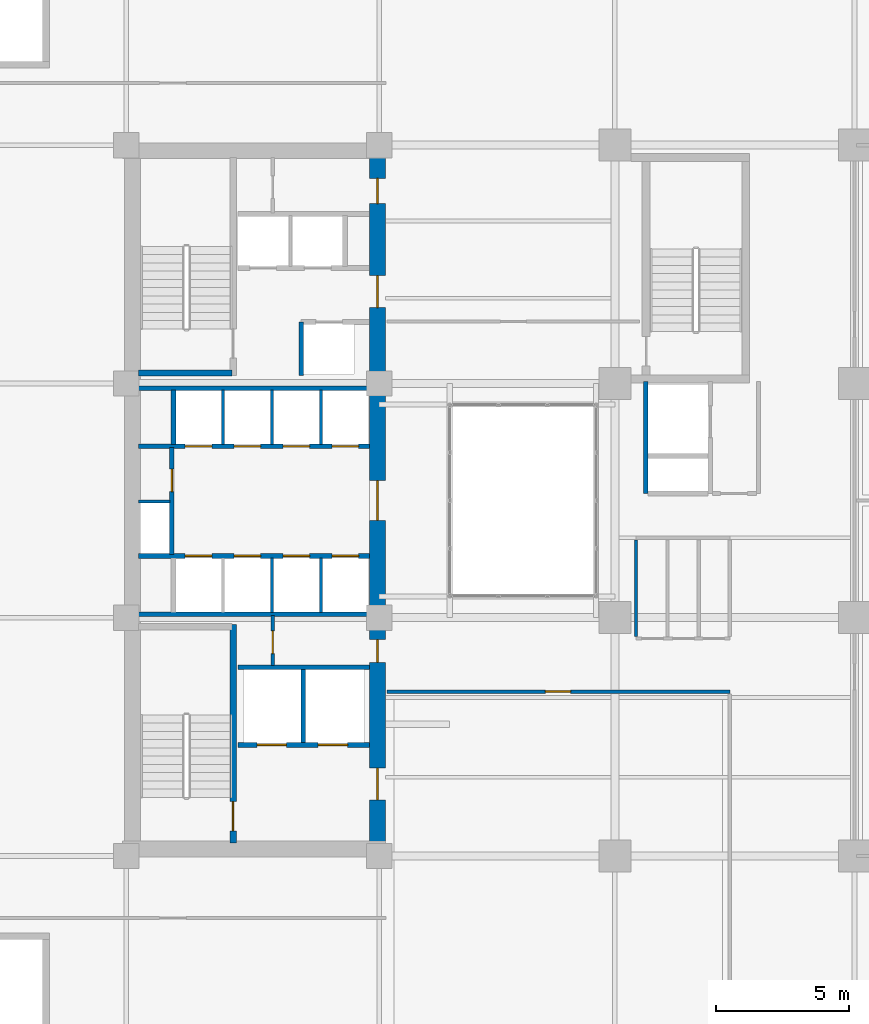
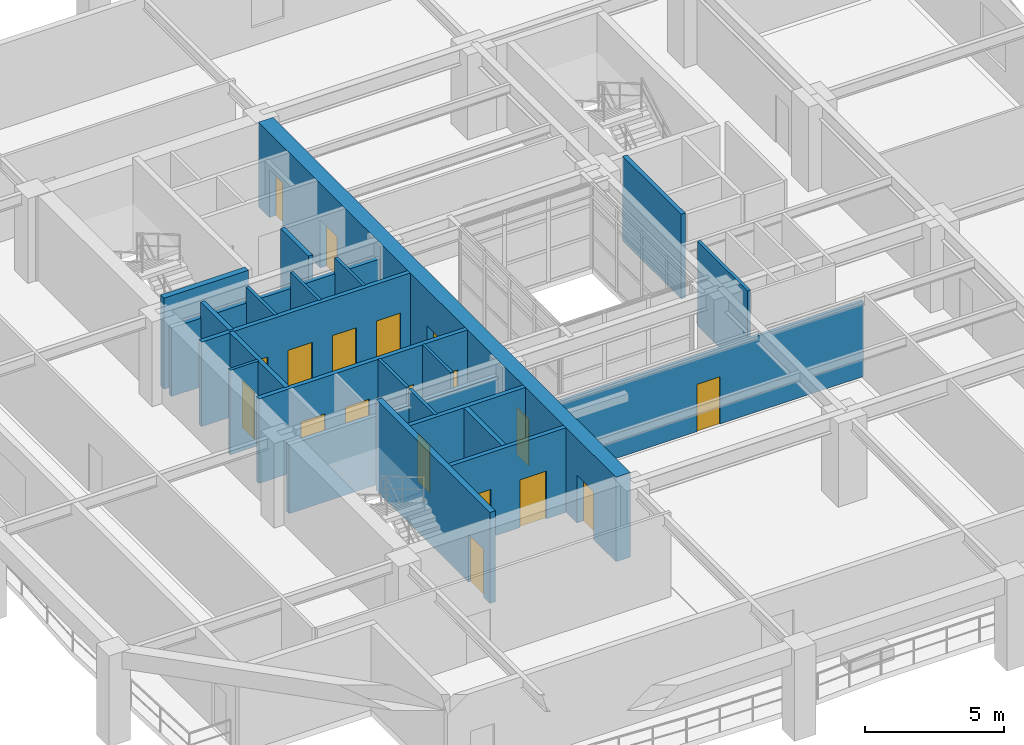
# One storey, part 7 of 17: 23 walls, 19 doors, 19 openings.
"""IFC4 building model written with IfcOpenShell, lengths in metres."""

from ifc_helpers import new_model, si_unit, direction, frame, frame_2d, origin, place, context, subcontext, project, spatial, rectangle, extrude, material, layer, layer_set, type_object, element, fill, save


model = new_model("IFC4")

# Units and contexts
model_context = context("Model", 3, precision=1e-05, world=origin(), true_north=direction((0.0, 1.0)))
body_context = subcontext(model_context, "Body", "Model", "MODEL_VIEW")
ifc_project = project(units=[si_unit("LENGTHUNIT", "METRE"), si_unit("AREAUNIT", "SQUARE_METRE"), si_unit("VOLUMEUNIT", "CUBIC_METRE"), si_unit("PLANEANGLEUNIT", "RADIAN"), si_unit("MASSUNIT", "GRAM", prefix="KILO")], contexts=[model_context])

# Site, building, storey
site_placement = place(None, origin())
site = spatial("IfcSite", under=ifc_project, at=site_placement, CompositionType="ELEMENT")
building_placement = place(site_placement, origin())
building = spatial("IfcBuilding", under=site, at=building_placement, Name="Kundavana Baori Tower", CompositionType="ELEMENT")
storey_placement = place(building_placement, frame((0.0, 0.0, 26.0)))
storey = spatial("IfcBuildingStorey", under=building, at=storey_placement, Name="L05", CompositionType="ELEMENT", Elevation=26.0)

# Wall, opening, door
ifc_material_1 = material(Name="Concrete C50/60", Category="concrete")
ifc_layer_1 = layer(ifc_material_1, 0.39990234375, Name="WL-CORE-400")
ifc_layer_set_1 = layer_set([ifc_layer_1], Name="Concrete C50/60")
wall_type_1 = type_object("IfcWallType", Name="WL-CORE-400", PredefinedType="SHEAR", material=ifc_layer_set_1)
wall_1_placement = place(storey_placement, frame((19.4599609375, 15.739990234375, 0.0), z_axis=(0.0, 0.0, 1.0), x_axis=(0.0, 1.0, 0.0)))
wall_1 = element("IfcWall", 1, at=wall_1_placement, inside=storey, type_object=wall_type_1, Name="WL-L05-ST1-E", PredefinedType="SHEAR", context=body_context, shape_type="SweptSolid", body=[
    extrude(rectangle(XDim=8.199951171875, YDim=0.239990234375, at=frame_2d((4.10009765625, 0.0))), origin(), (0.0, 0.0, 1.0), 4.0),
])
opening_1_placement = place(wall_1_placement, frame((0.449951171875, 0.0, 0.0)))
opening_1 = element("IfcOpeningElement", 2, at=opening_1_placement, cuts=wall_1, Name="Opening FD-110", PredefinedType="OPENING", context=body_context, shape_type="SweptSolid", body=[
    extrude(rectangle(XDim=1.10009765625, YDim=2.10009765625, at=frame_2d((0.550048828125, 1.050048828125))), frame((0.0, 0.1298828125, 0.0), z_axis=(0.0, -1.0, 0.0), x_axis=(1.0, 0.0, 0.0)), (0.0, 0.0, 1.0), 0.260009765625),
])
ifc_material_2 = material(Name="Galvanised Steel Fire-Rated Door Leaf", Category="steel")
door_type_1 = type_object("IfcDoorType", Name="DR-FD120-1100", OperationType="NOTDEFINED", PredefinedType="DOOR", material=ifc_material_2)
door_1_placement = place(opening_1_placement, origin())
door_1 = element("IfcDoor", 3, at=door_1_placement, inside=storey, type_object=door_type_1, Name="DR-L05-ST1", OperationType="SINGLE_SWING_LEFT", OverallHeight=2.10009765625, OverallWidth=1.10009765625, PredefinedType="DOOR", context=body_context, shape_type="SweptSolid", body=[
    extrude(rectangle(XDim=1.10009765625, YDim=2.10009765625, at=frame_2d((0.550048828125, 1.050048828125))), frame((0.0, 0.02490234375, 0.0), z_axis=(0.0, -1.0, 0.0), x_axis=(1.0, 0.0, 0.0)), (0.0, 0.0, 1.0), 0.050048828125),
])
fill(opening_1, door_1)

# Wall
wall_2_placement = place(storey_placement, frame((15.89990234375, 33.389892578125, 0.0), z_axis=(0.0, 0.0, 1.0), x_axis=(1.0, 0.0, 0.0)))
element("IfcWall", 4, at=wall_2_placement, inside=storey, type_object=wall_type_1, Name="WL-L05-ST2-S", PredefinedType="SHEAR", context=body_context, shape_type="SweptSolid", body=[
    extrude(rectangle(XDim=3.52001953125, YDim=0.239990234375, at=frame_2d((1.760009765625, 0.0))), origin(), (0.0, 0.0, 1.0), 4.0),
])

# Wall, openings, doors
ifc_material_3 = material(Name="Concrete C60/75", Category="concrete")
ifc_layer_2 = layer(ifc_material_3, 0.60009765625, Name="WL-CORE-600")
ifc_layer_set_2 = layer_set([ifc_layer_2], Name="Concrete C60/75")
wall_type_2 = type_object("IfcWallType", Name="WL-CORE-600", PredefinedType="SHEAR", material=ifc_layer_set_2)
wall_3_placement = place(storey_placement, frame((24.8798828125, 15.739990234375, 0.0), z_axis=(0.0, 0.0, 1.0), x_axis=(0.0, 1.0, 0.0)))
wall_3 = element("IfcWall", 5, at=wall_3_placement, inside=storey, type_object=wall_type_2, Name="L05 Offset Core East Shear Wall", PredefinedType="SHEAR", context=body_context, shape_type="SweptSolid", body=[
    extrude(rectangle(XDim=25.760009765625, YDim=0.60009765625, at=frame_2d((12.8798828125, 0.0))), origin(), (0.0, 0.0, 1.0), 3.719970703125),
])
opening_2_placement = place(wall_3_placement, frame((1.610107421875, 0.0, 0.0)))
opening_2 = element("IfcOpeningElement", 6, at=opening_2_placement, cuts=wall_3, Name="Opening FD-120", PredefinedType="OPENING", context=body_context, shape_type="SweptSolid", body=[
    extrude(rectangle(XDim=1.199951171875, YDim=2.10009765625, at=frame_2d((0.60009765625, 1.050048828125))), frame((0.0, 0.31005859375, 0.0), z_axis=(0.0, -1.0, 0.0), x_axis=(1.0, 0.0, 0.0)), (0.0, 0.0, 1.0), 0.6201171875),
])
opening_3_placement = place(wall_3_placement, frame((6.780029296875, 0.0, 0.0)))
opening_3 = element("IfcOpeningElement", 7, at=opening_3_placement, cuts=wall_3, Name="Opening FD-085", PredefinedType="OPENING", context=body_context, shape_type="SweptSolid", body=[
    extrude(rectangle(XDim=0.85009765625, YDim=2.06005859375, at=frame_2d((0.425048828125, 1.030029296875))), frame((0.0, 0.31005859375, 0.0), z_axis=(0.0, -1.0, 0.0), x_axis=(1.0, 0.0, 0.0)), (0.0, 0.0, 1.0), 0.6201171875),
])
opening_4_placement = place(wall_3_placement, frame((12.110107421875, 0.0, 0.0)))
opening_4 = element("IfcOpeningElement", 8, at=opening_4_placement, cuts=wall_3, Name="Opening FD-150", PredefinedType="OPENING", context=body_context, shape_type="SweptSolid", body=[
    extrude(rectangle(XDim=1.5, YDim=2.1201171875, at=frame_2d((0.75, 1.06005859375))), frame((0.0, 0.31005859375, 0.0), z_axis=(0.0, -1.0, 0.0), x_axis=(1.0, 0.0, 0.0)), (0.0, 0.0, 1.0), 0.6201171875),
])
opening_5_placement = place(wall_3_placement, frame((20.110107421875, 0.0, 0.0)))
opening_5 = element("IfcOpeningElement", 9, at=opening_5_placement, cuts=wall_3, Name="Opening FD-122", PredefinedType="OPENING", context=body_context, shape_type="SweptSolid", body=[
    extrude(rectangle(XDim=1.199951171875, YDim=2.1201171875, at=frame_2d((0.60009765625, 1.06005859375))), frame((0.0, 0.31005859375, 0.0), z_axis=(0.0, -1.0, 0.0), x_axis=(1.0, 0.0, 0.0)), (0.0, 0.0, 1.0), 0.6201171875),
])
opening_6_placement = place(wall_3_placement, frame((24.010009765625, 0.0, 0.0)))
opening_6 = element("IfcOpeningElement", 10, at=opening_6_placement, cuts=wall_3, Name="Opening FD-095", PredefinedType="OPENING", context=body_context, shape_type="SweptSolid", body=[
    extrude(rectangle(XDim=0.949951171875, YDim=2.10009765625, at=frame_2d((0.47509765625, 1.050048828125))), frame((0.0, 0.31005859375, 0.0), z_axis=(0.0, -1.0, 0.0), x_axis=(1.0, 0.0, 0.0)), (0.0, 0.0, 1.0), 0.6201171875),
])
ifc_material_4 = material(Name="Galvanised Steel Fire-Rated Door Leaf", Category="steel")
door_type_2 = type_object("IfcDoorType", Name="DR-FD120-1200", OperationType="NOTDEFINED", PredefinedType="DOOR", material=ifc_material_4)
door_2_placement = place(opening_2_placement, frame((1.199951171875, 0.0, 0.0), z_axis=(0.0, 0.0, 1.0), x_axis=(-1.0, 0.0, 0.0)))
door_2 = element("IfcDoor", 11, at=door_2_placement, inside=storey, type_object=door_type_2, Name="DR-L05-FFLOB-E", OperationType="SINGLE_SWING_RIGHT", OverallHeight=2.10009765625, OverallWidth=1.199951171875, PredefinedType="DOOR", context=body_context, shape_type="SweptSolid", body=[
    extrude(rectangle(XDim=1.199951171875, YDim=2.10009765625, at=frame_2d((0.60009765625, 1.050048828125))), frame((0.0, 0.02490234375, 0.0), z_axis=(0.0, -1.0, 0.0), x_axis=(1.0, 0.0, 0.0)), (0.0, 0.0, 1.0), 0.050048828125),
])
fill(opening_2, door_2)
ifc_material_5 = material(Name="Galvanised Steel Fire-Rated Door Leaf", Category="steel")
door_type_3 = type_object("IfcDoorType", Name="DR-FD60-1200", OperationType="NOTDEFINED", PredefinedType="DOOR", material=ifc_material_5)
door_3_placement = place(opening_5_placement, frame((1.199951171875, 0.0, 0.0), z_axis=(0.0, 0.0, 1.0), x_axis=(-1.0, 0.0, 0.0)))
door_3 = element("IfcDoor", 12, at=door_3_placement, inside=storey, type_object=door_type_3, Name="DR-L05-HRLOB-E", OperationType="SINGLE_SWING_RIGHT", OverallHeight=2.1201171875, OverallWidth=1.199951171875, PredefinedType="DOOR", context=body_context, shape_type="SweptSolid", body=[
    extrude(rectangle(XDim=1.199951171875, YDim=2.1201171875, at=frame_2d((0.60009765625, 1.06005859375))), frame((0.0, 0.02490234375, 0.0), z_axis=(0.0, -1.0, 0.0), x_axis=(1.0, 0.0, 0.0)), (0.0, 0.0, 1.0), 0.050048828125),
])
fill(opening_5, door_3)
ifc_material_6 = material(Name="Galvanised Steel Fire-Rated Door Leaf", Category="steel")
door_type_4 = type_object("IfcDoorType", Name="DR-FD60-1500", OperationType="NOTDEFINED", PredefinedType="DOOR", material=ifc_material_6)
door_4_placement = place(opening_4_placement, frame((1.5, 0.0, 0.0), z_axis=(0.0, 0.0, 1.0), x_axis=(-1.0, 0.0, 0.0)))
door_4 = element("IfcDoor", 13, at=door_4_placement, inside=storey, type_object=door_type_4, Name="DR-L05-LIFTHALL-E", OperationType="SINGLE_SWING_LEFT", OverallHeight=2.1201171875, OverallWidth=1.5, PredefinedType="DOOR", context=body_context, shape_type="SweptSolid", body=[
    extrude(rectangle(XDim=1.5, YDim=2.1201171875, at=frame_2d((0.75, 1.06005859375))), frame((0.0, 0.02490234375, 0.0), z_axis=(0.0, -1.0, 0.0), x_axis=(1.0, 0.0, 0.0)), (0.0, 0.0, 1.0), 0.050048828125),
])
fill(opening_4, door_4)
ifc_material_7 = material(Name="Galvanised Steel Fire-Rated Door Leaf", Category="steel")
door_type_5 = type_object("IfcDoorType", Name="DR-FD60-850", OperationType="NOTDEFINED", PredefinedType="DOOR", material=ifc_material_7)
door_5_placement = place(opening_3_placement, frame((0.85009765625, 0.0, 0.0), z_axis=(0.0, 0.0, 1.0), x_axis=(-1.0, 0.0, 0.0)))
door_5 = element("IfcDoor", 14, at=door_5_placement, inside=storey, type_object=door_type_5, Name="DR-L05-CSMK2", OperationType="SINGLE_SWING_LEFT", OverallHeight=2.06005859375, OverallWidth=0.85009765625, PredefinedType="DOOR", context=body_context, shape_type="SweptSolid", body=[
    extrude(rectangle(XDim=0.85009765625, YDim=2.06005859375, at=frame_2d((0.425048828125, 1.030029296875))), frame((0.0, 0.02490234375, 0.0), z_axis=(0.0, -1.0, 0.0), x_axis=(1.0, 0.0, 0.0)), (0.0, 0.0, 1.0), 0.050048828125),
])
fill(opening_3, door_5)
ifc_material_8 = material(Name="Engineered Teak Fire-Rated Timber Door Leaf", Category="wood")
door_type_6 = type_object("IfcDoorType", Name="DR-FD60-950", OperationType="NOTDEFINED", PredefinedType="DOOR", material=ifc_material_8)
door_6_placement = place(opening_6_placement, frame((0.949951171875, 0.0, 0.0), z_axis=(0.0, 0.0, 1.0), x_axis=(-1.0, 0.0, 0.0)))
door_6 = element("IfcDoor", 15, at=door_6_placement, inside=storey, type_object=door_type_6, Name="DR-L05-CSRV2", OperationType="SINGLE_SWING_LEFT", OverallHeight=2.10009765625, OverallWidth=0.949951171875, PredefinedType="DOOR", context=body_context, shape_type="SweptSolid", body=[
    extrude(rectangle(XDim=0.949951171875, YDim=2.10009765625, at=frame_2d((0.47509765625, 1.050048828125))), frame((0.0, 0.02490234375, 0.0), z_axis=(0.0, -1.0, 0.0), x_axis=(1.0, 0.0, 0.0)), (0.0, 0.0, 1.0), 0.050048828125),
])
fill(opening_6, door_6)

# Wall, opening, door
ifc_material_9 = material(Name="Acoustic Gypsum Plasterboard on Galvanised Steel Studs", Category="steel")
ifc_layer_3 = layer(ifc_material_9, 0.1201171875, Name="WL-PART-120")
ifc_layer_set_3 = layer_set([ifc_layer_3], Name="Acoustic Gypsum Plasterboard on Galvanised Steel Studs")
wall_type_3 = type_object("IfcWallType", Name="WL-PART-120", PredefinedType="PARTITIONING", material=ifc_layer_set_3)
wall_4_placement = place(storey_placement, frame((20.949951171875, 22.39990234375, 0.0), z_axis=(0.0, 0.0, 1.0), x_axis=(0.0, 1.0, 0.0)))
wall_4 = element("IfcWall", 16, at=wall_4_placement, inside=storey, type_object=wall_type_3, Name="WL-L05-CSMK-D2", PredefinedType="PARTITIONING", context=body_context, shape_type="SweptSolid", body=[
    extrude(rectangle(XDim=1.880126953125, YDim=0.1201171875, at=frame_2d((0.93994140625, 0.0))), origin(), (0.0, 0.0, 1.0), 3.719970703125),
])
opening_7_placement = place(wall_4_placement, frame((0.449951171875, 0.0, 0.0)))
opening_7 = element("IfcOpeningElement", 17, at=opening_7_placement, cuts=wall_4, Name="Opening FD-085", PredefinedType="OPENING", context=body_context, shape_type="SweptSolid", body=[
    extrude(rectangle(XDim=0.85009765625, YDim=2.06005859375, at=frame_2d((0.425048828125, 1.030029296875))), frame((0.0, 0.070068359375, 0.0), z_axis=(0.0, -1.0, 0.0), x_axis=(1.0, 0.0, 0.0)), (0.0, 0.0, 1.0), 0.14013671875),
])
door_7_placement = place(opening_7_placement, origin())
door_7 = element("IfcDoor", 18, at=door_7_placement, inside=storey, type_object=door_type_5, Name="DR-L05-CSMK1", OperationType="SINGLE_SWING_RIGHT", OverallHeight=2.06005859375, OverallWidth=0.85009765625, PredefinedType="DOOR", context=body_context, shape_type="SweptSolid", body=[
    extrude(rectangle(XDim=0.85009765625, YDim=2.06005859375, at=frame_2d((0.425048828125, 1.030029296875))), frame((0.0, 0.02490234375, 0.0), z_axis=(0.0, -1.0, 0.0), x_axis=(1.0, 0.0, 0.0)), (0.0, 0.0, 1.0), 0.050048828125),
])
fill(opening_7, door_7)

# Walls
for number, where, z_axis, x_axis, name in (
    (19, (20.919921875, 24.39990234375, 0.0), (0.0, 0.0, 1.0), (0.0, 1.0, 0.0), "WL-L05-LPLOW-D2"),
    (20, (22.760009765625, 24.39990234375, 0.0), (0.0, 0.0, 1.0), (0.0, 1.0, 0.0), "WL-L05-LPLOW-D3"),
):
    element("IfcWall", number, at=place(storey_placement, frame(where, z_axis=z_axis, x_axis=x_axis)), inside=storey, type_object=wall_type_3, Name=name, PredefinedType="PARTITIONING", context=body_context, shape_type="SweptSolid", body=[
        extrude(rectangle(XDim=2.050048828125, YDim=0.1201171875, at=frame_2d((1.02490234375, 0.0))), origin(), (0.0, 0.0, 1.0), 3.719970703125),
    ])
wall_5_placement = place(storey_placement, frame((15.89990234375, 28.56005859375, 0.0), z_axis=(0.0, 0.0, 1.0), x_axis=(1.0, 0.0, 0.0)))
element("IfcWall", 21, at=wall_5_placement, inside=storey, type_object=wall_type_3, Name="WL-L05-RSRW-N", PredefinedType="PARTITIONING", context=body_context, shape_type="SweptSolid", body=[
    extrude(rectangle(XDim=1.2001953125, YDim=0.1201171875, at=frame_2d((0.60009765625, 0.0))), origin(), (0.0, 0.0, 1.0), 3.719970703125),
])
for number, where, z_axis, x_axis, name in (
    (22, (19.080078125, 30.699951171875, 0.0), (0.0, 0.0, 1.0), (0.0, 1.0, 0.0), "WL-L05-LPMID-D1"),
    (23, (20.919921875, 30.699951171875, 0.0), (0.0, 0.0, 1.0), (0.0, 1.0, 0.0), "WL-L05-LPMID-D2"),
    (24, (22.760009765625, 30.699951171875, 0.0), (0.0, 0.0, 1.0), (0.0, 1.0, 0.0), "WL-L05-LPMID-D3"),
):
    element("IfcWall", number, at=place(storey_placement, frame(where, z_axis=z_axis, x_axis=x_axis)), inside=storey, type_object=wall_type_3, Name=name, PredefinedType="PARTITIONING", context=body_context, shape_type="SweptSolid", body=[
        extrude(rectangle(XDim=2.050048828125, YDim=0.1201171875, at=frame_2d((1.02490234375, 0.0))), origin(), (0.0, 0.0, 1.0), 3.719970703125),
    ])

# Wall, opening, door
wall_6_placement = place(storey_placement, frame((25.25, 21.419921875, 0.0), z_axis=(0.0, 0.0, 1.0), x_axis=(1.0, 0.0, 0.0)))
wall_6 = element("IfcWall", 25, at=wall_6_placement, inside=storey, type_object=wall_type_3, Name="WL-L05-OFS", PredefinedType="PARTITIONING", context=body_context, shape_type="SweptSolid", body=[
    extrude(rectangle(XDim=12.8701171875, YDim=0.1201171875, at=frame_2d((6.43505859375, 0.0))), origin(), (0.0, 0.0, 1.0), 3.320068359375),
])
opening_8_placement = place(wall_6_placement, frame((5.945068359375, 0.0, 0.0)))
opening_8 = element("IfcOpeningElement", 26, at=opening_8_placement, cuts=wall_6, Name="Opening ID-095", PredefinedType="OPENING", context=body_context, shape_type="SweptSolid", body=[
    extrude(rectangle(XDim=0.949951171875, YDim=2.080078125, at=frame_2d((0.47509765625, 1.0400390625))), frame((0.0, 0.070068359375, 0.0), z_axis=(0.0, -1.0, 0.0), x_axis=(1.0, 0.0, 0.0)), (0.0, 0.0, 1.0), 0.14013671875),
])
ifc_material_10 = material(Name="Engineered Teak Solid-Core Timber Veneer", Category="wood")
door_type_7 = type_object("IfcDoorType", Name="DR-INT-950", OperationType="NOTDEFINED", PredefinedType="DOOR", material=ifc_material_10)
door_8_placement = place(opening_8_placement, frame((0.949951171875, 0.0, 0.0), z_axis=(0.0, 0.0, 1.0), x_axis=(-1.0, 0.0, 0.0)))
door_8 = element("IfcDoor", 27, at=door_8_placement, inside=storey, type_object=door_type_7, Name="DR-L05-OFS1", OperationType="SINGLE_SWING_LEFT", OverallHeight=2.080078125, OverallWidth=0.949951171875, PredefinedType="DOOR", context=body_context, shape_type="SweptSolid", body=[
    extrude(rectangle(XDim=0.949951171875, YDim=2.080078125, at=frame_2d((0.47509765625, 1.0400390625))), frame((0.0, 0.02490234375, 0.0), z_axis=(0.0, -1.0, 0.0), x_axis=(1.0, 0.0, 0.0)), (0.0, 0.0, 1.0), 0.050048828125),
])
fill(opening_8, door_8)

# Wall, openings, doors
ifc_material_11 = material(Name="Autoclaved Aerated Concrete Blockwork Masonry", Category="masonry")
ifc_layer_4 = layer(ifc_material_11, 0.179931640625, Name="WL-SHAFT-180")
ifc_layer_set_4 = layer_set([ifc_layer_4], Name="Autoclaved Aerated Concrete Blockwork Masonry")
wall_type_4 = type_object("IfcWallType", Name="WL-SHAFT-180", PredefinedType="SOLIDWALL", material=ifc_layer_set_4)
wall_7_placement = place(storey_placement, frame((19.639892578125, 19.419921875, 0.0), z_axis=(0.0, 0.0, 1.0), x_axis=(1.0, 0.0, 0.0)))
wall_7 = element("IfcWall", 28, at=wall_7_placement, inside=storey, type_object=wall_type_4, Name="WL-L05-FFL-S", PredefinedType="SOLIDWALL", context=body_context, shape_type="SweptSolid", body=[
    extrude(rectangle(XDim=4.940185546875, YDim=0.179931640625, at=frame_2d((2.47021484375, 0.0))), origin(), (0.0, 0.0, 1.0), 3.719970703125),
])
opening_9_placement = place(wall_7_placement, frame((0.719970703125, 0.0, 0.0)))
opening_9 = element("IfcOpeningElement", 29, at=opening_9_placement, cuts=wall_7, Name="Opening LD-110", PredefinedType="OPENING", context=body_context, shape_type="SweptSolid", body=[
    extrude(rectangle(XDim=1.10009765625, YDim=2.10009765625, at=frame_2d((0.550048828125, 1.050048828125))), frame((0.0, 0.10009765625, 0.0), z_axis=(0.0, -1.0, 0.0), x_axis=(1.0, 0.0, 0.0)), (0.0, 0.0, 1.0), 0.199951171875),
])
opening_10_placement = place(wall_7_placement, frame((3.02001953125, 0.0, 0.0)))
opening_10 = element("IfcOpeningElement", 30, at=opening_10_placement, cuts=wall_7, Name="Opening LD-110", PredefinedType="OPENING", context=body_context, shape_type="SweptSolid", body=[
    extrude(rectangle(XDim=1.10009765625, YDim=2.10009765625, at=frame_2d((0.550048828125, 1.050048828125))), frame((0.0, 0.10009765625, 0.0), z_axis=(0.0, -1.0, 0.0), x_axis=(1.0, 0.0, 0.0)), (0.0, 0.0, 1.0), 0.199951171875),
])
ifc_material_12 = material(Name="Galvanised Steel Fire-Rated Door Leaf", Category="steel")
door_type_8 = type_object("IfcDoorType", Name="DR-SLIDE-LD1100", OperationType="NOTDEFINED", PredefinedType="DOOR", material=ifc_material_12)
door_9_placement = place(opening_9_placement, origin())
door_9 = element("IfcDoor", 31, at=door_9_placement, inside=storey, type_object=door_type_8, Name="DR-L05-LD-FFL-1", OperationType="DOUBLE_DOOR_SLIDING", OverallHeight=2.10009765625, OverallWidth=1.10009765625, PredefinedType="DOOR", context=body_context, shape_type="SweptSolid", body=[
    extrude(rectangle(XDim=1.10009765625, YDim=2.10009765625, at=frame_2d((0.550048828125, 1.050048828125))), frame((0.0, 0.02490234375, 0.0), z_axis=(0.0, -1.0, 0.0), x_axis=(1.0, 0.0, 0.0)), (0.0, 0.0, 1.0), 0.050048828125),
])
fill(opening_9, door_9)
door_10_placement = place(opening_10_placement, origin())
door_10 = element("IfcDoor", 32, at=door_10_placement, inside=storey, type_object=door_type_8, Name="DR-L05-LD-FFL-2", OperationType="DOUBLE_DOOR_SLIDING", OverallHeight=2.10009765625, OverallWidth=1.10009765625, PredefinedType="DOOR", context=body_context, shape_type="SweptSolid", body=[
    extrude(rectangle(XDim=1.10009765625, YDim=2.10009765625, at=frame_2d((0.550048828125, 1.050048828125))), frame((0.0, 0.02490234375, 0.0), z_axis=(0.0, -1.0, 0.0), x_axis=(1.0, 0.0, 0.0)), (0.0, 0.0, 1.0), 0.050048828125),
])
fill(opening_10, door_10)

# Walls
wall_8_placement = place(storey_placement, frame((22.10009765625, 19.510009765625, 0.0), z_axis=(0.0, 0.0, 1.0), x_axis=(0.0, 1.0, 0.0)))
element("IfcWall", 33, at=wall_8_placement, inside=storey, type_object=wall_type_4, Name="WL-L05-FFL-MID", PredefinedType="SOLIDWALL", context=body_context, shape_type="SweptSolid", body=[
    extrude(rectangle(XDim=2.739990234375, YDim=0.179931640625, at=frame_2d((1.3701171875, 0.0))), origin(), (0.0, 0.0, 1.0), 3.719970703125),
])
wall_9_placement = place(storey_placement, frame((19.639892578125, 22.340087890625, 0.0), z_axis=(0.0, 0.0, 1.0), x_axis=(1.0, 0.0, 0.0)))
element("IfcWall", 34, at=wall_9_placement, inside=storey, type_object=wall_type_4, Name="WL-L05-FFL-N", PredefinedType="SOLIDWALL", context=body_context, shape_type="SweptSolid", body=[
    extrude(rectangle(XDim=4.940185546875, YDim=0.179931640625, at=frame_2d((2.47021484375, 0.0))), origin(), (0.0, 0.0, 1.0), 3.719970703125),
])

# Wall, openings, doors
wall_10_placement = place(storey_placement, frame((15.89990234375, 26.52001953125, 0.0), z_axis=(0.0, 0.0, 1.0), x_axis=(1.0, 0.0, 0.0)))
wall_10 = element("IfcWall", 35, at=wall_10_placement, inside=storey, type_object=wall_type_4, Name="WL-L05-LPLOW-N", PredefinedType="SOLIDWALL", context=body_context, shape_type="SweptSolid", body=[
    extrude(rectangle(XDim=8.68017578125, YDim=0.179931640625, at=frame_2d((4.340087890625, 0.0))), origin(), (0.0, 0.0, 1.0), 3.719970703125),
])
opening_11_placement = place(wall_10_placement, frame((1.760009765625, 0.0, 0.0)))
opening_11 = element("IfcOpeningElement", 36, at=opening_11_placement, cuts=wall_10, Name="Opening LD-100", PredefinedType="OPENING", context=body_context, shape_type="SweptSolid", body=[
    extrude(rectangle(XDim=1.0, YDim=2.10009765625, at=frame_2d((0.5, 1.050048828125))), frame((0.0, 0.10009765625, 0.0), z_axis=(0.0, -1.0, 0.0), x_axis=(1.0, 0.0, 0.0)), (0.0, 0.0, 1.0), 0.199951171875),
])
opening_12_placement = place(wall_10_placement, frame((3.60009765625, 0.0, 0.0)))
opening_12 = element("IfcOpeningElement", 37, at=opening_12_placement, cuts=wall_10, Name="Opening LD-100", PredefinedType="OPENING", context=body_context, shape_type="SweptSolid", body=[
    extrude(rectangle(XDim=1.0, YDim=2.10009765625, at=frame_2d((0.5, 1.050048828125))), frame((0.0, 0.10009765625, 0.0), z_axis=(0.0, -1.0, 0.0), x_axis=(1.0, 0.0, 0.0)), (0.0, 0.0, 1.0), 0.199951171875),
])
opening_13_placement = place(wall_10_placement, frame((5.43994140625, 0.0, 0.0)))
opening_13 = element("IfcOpeningElement", 38, at=opening_13_placement, cuts=wall_10, Name="Opening LD-100", PredefinedType="OPENING", context=body_context, shape_type="SweptSolid", body=[
    extrude(rectangle(XDim=1.0, YDim=2.10009765625, at=frame_2d((0.5, 1.050048828125))), frame((0.0, 0.10009765625, 0.0), z_axis=(0.0, -1.0, 0.0), x_axis=(1.0, 0.0, 0.0)), (0.0, 0.0, 1.0), 0.199951171875),
])
opening_14_placement = place(wall_10_placement, frame((7.280029296875, 0.0, 0.0)))
opening_14 = element("IfcOpeningElement", 39, at=opening_14_placement, cuts=wall_10, Name="Opening LD-100", PredefinedType="OPENING", context=body_context, shape_type="SweptSolid", body=[
    extrude(rectangle(XDim=1.0, YDim=2.10009765625, at=frame_2d((0.5, 1.050048828125))), frame((0.0, 0.10009765625, 0.0), z_axis=(0.0, -1.0, 0.0), x_axis=(1.0, 0.0, 0.0)), (0.0, 0.0, 1.0), 0.199951171875),
])
ifc_material_13 = material(Name="Galvanised Steel Fire-Rated Door Leaf", Category="steel")
door_type_9 = type_object("IfcDoorType", Name="DR-SLIDE-LD1000", OperationType="NOTDEFINED", PredefinedType="DOOR", material=ifc_material_13)
door_11_placement = place(opening_11_placement, origin())
door_11 = element("IfcDoor", 40, at=door_11_placement, inside=storey, type_object=door_type_9, Name="DR-L05-LD-LP-01", OperationType="DOUBLE_DOOR_SLIDING", OverallHeight=2.10009765625, OverallWidth=1.0, PredefinedType="DOOR", context=body_context, shape_type="SweptSolid", body=[
    extrude(rectangle(XDim=1.0, YDim=2.10009765625, at=frame_2d((0.5, 1.050048828125))), frame((0.0, 0.02490234375, 0.0), z_axis=(0.0, -1.0, 0.0), x_axis=(1.0, 0.0, 0.0)), (0.0, 0.0, 1.0), 0.050048828125),
])
fill(opening_11, door_11)
door_12_placement = place(opening_12_placement, origin())
door_12 = element("IfcDoor", 41, at=door_12_placement, inside=storey, type_object=door_type_9, Name="DR-L05-LD-LP-02", OperationType="DOUBLE_DOOR_SLIDING", OverallHeight=2.10009765625, OverallWidth=1.0, PredefinedType="DOOR", context=body_context, shape_type="SweptSolid", body=[
    extrude(rectangle(XDim=1.0, YDim=2.10009765625, at=frame_2d((0.5, 1.050048828125))), frame((0.0, 0.02490234375, 0.0), z_axis=(0.0, -1.0, 0.0), x_axis=(1.0, 0.0, 0.0)), (0.0, 0.0, 1.0), 0.050048828125),
])
fill(opening_12, door_12)
door_13_placement = place(opening_13_placement, origin())
door_13 = element("IfcDoor", 42, at=door_13_placement, inside=storey, type_object=door_type_9, Name="DR-L05-LD-LP-03", OperationType="DOUBLE_DOOR_SLIDING", OverallHeight=2.10009765625, OverallWidth=1.0, PredefinedType="DOOR", context=body_context, shape_type="SweptSolid", body=[
    extrude(rectangle(XDim=1.0, YDim=2.10009765625, at=frame_2d((0.5, 1.050048828125))), frame((0.0, 0.02490234375, 0.0), z_axis=(0.0, -1.0, 0.0), x_axis=(1.0, 0.0, 0.0)), (0.0, 0.0, 1.0), 0.050048828125),
])
fill(opening_13, door_13)
door_14_placement = place(opening_14_placement, origin())
door_14 = element("IfcDoor", 43, at=door_14_placement, inside=storey, type_object=door_type_9, Name="DR-L05-LD-LP-04", OperationType="DOUBLE_DOOR_SLIDING", OverallHeight=2.10009765625, OverallWidth=1.0, PredefinedType="DOOR", context=body_context, shape_type="SweptSolid", body=[
    extrude(rectangle(XDim=1.0, YDim=2.10009765625, at=frame_2d((0.5, 1.050048828125))), frame((0.0, 0.02490234375, 0.0), z_axis=(0.0, -1.0, 0.0), x_axis=(1.0, 0.0, 0.0)), (0.0, 0.0, 1.0), 0.050048828125),
])
fill(opening_14, door_14)

# Wall
wall_11_placement = place(storey_placement, frame((15.89990234375, 24.330078125, 0.0), z_axis=(0.0, 0.0, 1.0), x_axis=(1.0, 0.0, 0.0)))
element("IfcWall", 44, at=wall_11_placement, inside=storey, type_object=wall_type_4, Name="WL-L05-LPLOW-S", PredefinedType="SOLIDWALL", context=body_context, shape_type="SweptSolid", body=[
    extrude(rectangle(XDim=8.68017578125, YDim=0.179931640625, at=frame_2d((4.340087890625, 0.0))), origin(), (0.0, 0.0, 1.0), 3.02001953125),
])

# Wall, opening, door
wall_12_placement = place(storey_placement, frame((17.159912109375, 26.580078125, 0.0), z_axis=(0.0, 0.0, 1.0), x_axis=(0.0, 1.0, 0.0)))
wall_12 = element("IfcWall", 45, at=wall_12_placement, inside=storey, type_object=wall_type_4, Name="WL-L05-RSRW-E", PredefinedType="SOLIDWALL", context=body_context, shape_type="SweptSolid", body=[
    extrude(rectangle(XDim=4.02001953125, YDim=0.179931640625, at=frame_2d((2.010009765625, 0.0))), origin(), (0.0, 0.0, 1.0), 3.719970703125),
])
opening_15_placement = place(wall_12_placement, frame((2.35009765625, 0.0, 0.0)))
opening_15 = element("IfcOpeningElement", 46, at=opening_15_placement, cuts=wall_12, Name="Opening FD-085", PredefinedType="OPENING", context=body_context, shape_type="SweptSolid", body=[
    extrude(rectangle(XDim=0.85009765625, YDim=2.06005859375, at=frame_2d((0.425048828125, 1.030029296875))), frame((0.0, 0.10009765625, 0.0), z_axis=(0.0, -1.0, 0.0), x_axis=(1.0, 0.0, 0.0)), (0.0, 0.0, 1.0), 0.199951171875),
])
door_15_placement = place(opening_15_placement, origin())
door_15 = element("IfcDoor", 47, at=door_15_placement, inside=storey, type_object=door_type_5, Name="DR-L05-CLN", OperationType="SINGLE_SWING_RIGHT", OverallHeight=2.06005859375, OverallWidth=0.85009765625, PredefinedType="DOOR", context=body_context, shape_type="SweptSolid", body=[
    extrude(rectangle(XDim=0.85009765625, YDim=2.06005859375, at=frame_2d((0.425048828125, 1.030029296875))), frame((0.0, 0.02490234375, 0.0), z_axis=(0.0, -1.0, 0.0), x_axis=(1.0, 0.0, 0.0)), (0.0, 0.0, 1.0), 0.050048828125),
])
fill(opening_15, door_15)

# Wall, openings, doors
wall_13_placement = place(storey_placement, frame((15.89990234375, 30.639892578125, 0.0), z_axis=(0.0, 0.0, 1.0), x_axis=(1.0, 0.0, 0.0)))
wall_13 = element("IfcWall", 48, at=wall_13_placement, inside=storey, type_object=wall_type_4, Name="WL-L05-LPMID-S", PredefinedType="SOLIDWALL", context=body_context, shape_type="SweptSolid", body=[
    extrude(rectangle(XDim=8.68017578125, YDim=0.179931640625, at=frame_2d((4.340087890625, 0.0))), origin(), (0.0, 0.0, 1.0), 3.719970703125),
])
opening_16_placement = place(wall_13_placement, frame((1.760009765625, 0.0, 0.0)))
opening_16 = element("IfcOpeningElement", 49, at=opening_16_placement, cuts=wall_13, Name="Opening LD-100", PredefinedType="OPENING", context=body_context, shape_type="SweptSolid", body=[
    extrude(rectangle(XDim=1.0, YDim=2.10009765625, at=frame_2d((0.5, 1.050048828125))), frame((0.0, 0.10009765625, 0.0), z_axis=(0.0, -1.0, 0.0), x_axis=(1.0, 0.0, 0.0)), (0.0, 0.0, 1.0), 0.199951171875),
])
opening_17_placement = place(wall_13_placement, frame((3.60009765625, 0.0, 0.0)))
opening_17 = element("IfcOpeningElement", 50, at=opening_17_placement, cuts=wall_13, Name="Opening LD-100", PredefinedType="OPENING", context=body_context, shape_type="SweptSolid", body=[
    extrude(rectangle(XDim=1.0, YDim=2.10009765625, at=frame_2d((0.5, 1.050048828125))), frame((0.0, 0.10009765625, 0.0), z_axis=(0.0, -1.0, 0.0), x_axis=(1.0, 0.0, 0.0)), (0.0, 0.0, 1.0), 0.199951171875),
])
opening_18_placement = place(wall_13_placement, frame((5.43994140625, 0.0, 0.0)))
opening_18 = element("IfcOpeningElement", 51, at=opening_18_placement, cuts=wall_13, Name="Opening LD-100", PredefinedType="OPENING", context=body_context, shape_type="SweptSolid", body=[
    extrude(rectangle(XDim=1.0, YDim=2.10009765625, at=frame_2d((0.5, 1.050048828125))), frame((0.0, 0.10009765625, 0.0), z_axis=(0.0, -1.0, 0.0), x_axis=(1.0, 0.0, 0.0)), (0.0, 0.0, 1.0), 0.199951171875),
])
opening_19_placement = place(wall_13_placement, frame((7.280029296875, 0.0, 0.0)))
opening_19 = element("IfcOpeningElement", 52, at=opening_19_placement, cuts=wall_13, Name="Opening LD-100", PredefinedType="OPENING", context=body_context, shape_type="SweptSolid", body=[
    extrude(rectangle(XDim=1.0, YDim=2.10009765625, at=frame_2d((0.5, 1.050048828125))), frame((0.0, 0.10009765625, 0.0), z_axis=(0.0, -1.0, 0.0), x_axis=(1.0, 0.0, 0.0)), (0.0, 0.0, 1.0), 0.199951171875),
])
door_16_placement = place(opening_16_placement, frame((1.0, 0.0, 0.0), z_axis=(0.0, 0.0, 1.0), x_axis=(-1.0, 0.0, 0.0)))
door_16 = element("IfcDoor", 53, at=door_16_placement, inside=storey, type_object=door_type_9, Name="DR-L05-LD-LP-05", OperationType="DOUBLE_DOOR_SLIDING", OverallHeight=2.10009765625, OverallWidth=1.0, PredefinedType="DOOR", context=body_context, shape_type="SweptSolid", body=[
    extrude(rectangle(XDim=1.0, YDim=2.10009765625, at=frame_2d((0.5, 1.050048828125))), frame((0.0, 0.02490234375, 0.0), z_axis=(0.0, -1.0, 0.0), x_axis=(1.0, 0.0, 0.0)), (0.0, 0.0, 1.0), 0.050048828125),
])
fill(opening_16, door_16)
door_17_placement = place(opening_17_placement, frame((1.0, 0.0, 0.0), z_axis=(0.0, 0.0, 1.0), x_axis=(-1.0, 0.0, 0.0)))
door_17 = element("IfcDoor", 54, at=door_17_placement, inside=storey, type_object=door_type_9, Name="DR-L05-LD-LP-06", OperationType="DOUBLE_DOOR_SLIDING", OverallHeight=2.10009765625, OverallWidth=1.0, PredefinedType="DOOR", context=body_context, shape_type="SweptSolid", body=[
    extrude(rectangle(XDim=1.0, YDim=2.10009765625, at=frame_2d((0.5, 1.050048828125))), frame((0.0, 0.02490234375, 0.0), z_axis=(0.0, -1.0, 0.0), x_axis=(1.0, 0.0, 0.0)), (0.0, 0.0, 1.0), 0.050048828125),
])
fill(opening_17, door_17)
door_18_placement = place(opening_18_placement, frame((1.0, 0.0, 0.0), z_axis=(0.0, 0.0, 1.0), x_axis=(-1.0, 0.0, 0.0)))
door_18 = element("IfcDoor", 55, at=door_18_placement, inside=storey, type_object=door_type_9, Name="DR-L05-LD-LP-07", OperationType="DOUBLE_DOOR_SLIDING", OverallHeight=2.10009765625, OverallWidth=1.0, PredefinedType="DOOR", context=body_context, shape_type="SweptSolid", body=[
    extrude(rectangle(XDim=1.0, YDim=2.10009765625, at=frame_2d((0.5, 1.050048828125))), frame((0.0, 0.02490234375, 0.0), z_axis=(0.0, -1.0, 0.0), x_axis=(1.0, 0.0, 0.0)), (0.0, 0.0, 1.0), 0.050048828125),
])
fill(opening_18, door_18)
door_19_placement = place(opening_19_placement, frame((1.0, 0.0, 0.0), z_axis=(0.0, 0.0, 1.0), x_axis=(-1.0, 0.0, 0.0)))
door_19 = element("IfcDoor", 56, at=door_19_placement, inside=storey, type_object=door_type_9, Name="DR-L05-LD-LP-08", OperationType="DOUBLE_DOOR_SLIDING", OverallHeight=2.10009765625, OverallWidth=1.0, PredefinedType="DOOR", context=body_context, shape_type="SweptSolid", body=[
    extrude(rectangle(XDim=1.0, YDim=2.10009765625, at=frame_2d((0.5, 1.050048828125))), frame((0.0, 0.02490234375, 0.0), z_axis=(0.0, -1.0, 0.0), x_axis=(1.0, 0.0, 0.0)), (0.0, 0.0, 1.0), 0.050048828125),
])
fill(opening_19, door_19)

# Walls
wall_14_placement = place(storey_placement, frame((15.89990234375, 32.820068359375, 0.0), z_axis=(0.0, 0.0, 1.0), x_axis=(1.0, 0.0, 0.0)))
element("IfcWall", 57, at=wall_14_placement, inside=storey, type_object=wall_type_4, Name="WL-L05-LPMID-N", PredefinedType="SOLIDWALL", context=body_context, shape_type="SweptSolid", body=[
    extrude(rectangle(XDim=8.68017578125, YDim=0.179931640625, at=frame_2d((4.340087890625, 0.0))), origin(), (0.0, 0.0, 1.0), 3.02001953125),
])
wall_15_placement = place(storey_placement, frame((17.219970703125, 30.699951171875, 0.0), z_axis=(0.0, 0.0, 1.0), x_axis=(0.0, 1.0, 0.0)))
element("IfcWall", 58, at=wall_15_placement, inside=storey, type_object=wall_type_4, Name="WL-L05-LPMID-W", PredefinedType="SOLIDWALL", context=body_context, shape_type="SweptSolid", body=[
    extrude(rectangle(XDim=2.050048828125, YDim=0.179931640625, at=frame_2d((1.02490234375, 0.0))), origin(), (0.0, 0.0, 1.0), 3.719970703125),
])
wall_16_placement = place(storey_placement, frame((22.02001953125, 33.300048828125, 0.0), z_axis=(0.0, 0.0, 1.0), x_axis=(0.0, 1.0, 0.0)))
element("IfcWall", 59, at=wall_16_placement, inside=storey, type_object=wall_type_4, Name="WL-L05-LP11-W", PredefinedType="SOLIDWALL", context=body_context, shape_type="SweptSolid", body=[
    extrude(rectangle(XDim=2.010009765625, YDim=0.179931640625, at=frame_2d((1.0048828125, 0.0))), origin(), (0.0, 0.0, 1.0), 3.719970703125),
])
wall_17_placement = place(storey_placement, frame((34.9599609375, 28.860107421875, 0.0), z_axis=(0.0, 0.0, 1.0), x_axis=(0.0, 1.0, 0.0)))
element("IfcWall", 60, at=wall_17_placement, inside=storey, type_object=wall_type_4, Name="WL-L05-SVL-W", PredefinedType="SOLIDWALL", context=body_context, shape_type="SweptSolid", body=[
    extrude(rectangle(XDim=4.219970703125, YDim=0.179931640625, at=frame_2d((2.10986328125, 0.0))), origin(), (0.0, 0.0, 1.0), 3.719970703125),
])
ifc_material_14 = material(Name="Autoclaved Aerated Concrete Blockwork Masonry", Category="masonry")
ifc_layer_5 = layer(ifc_material_14, 0.125, Name="WL-WET-120")
ifc_layer_set_5 = layer_set([ifc_layer_5], Name="Autoclaved Aerated Concrete Blockwork Masonry")
wall_type_5 = type_object("IfcWallType", Name="WL-WET-120", PredefinedType="PLUMBINGWALL", material=ifc_layer_set_5)
wall_18_placement = place(storey_placement, frame((34.60009765625, 23.5, 0.0), z_axis=(0.0, 0.0, 1.0), x_axis=(0.0, 1.0, 0.0)))
element("IfcWall", 61, at=wall_18_placement, inside=storey, type_object=wall_type_5, Name="WL-L05-WCW", PredefinedType="PLUMBINGWALL", context=body_context, shape_type="SweptSolid", body=[
    extrude(rectangle(XDim=3.6201171875, YDim=0.125, at=frame_2d((1.81005859375, 0.0))), origin(), (0.0, 0.0, 1.0), 3.719970703125),
])

save(model, "model.ifc")
